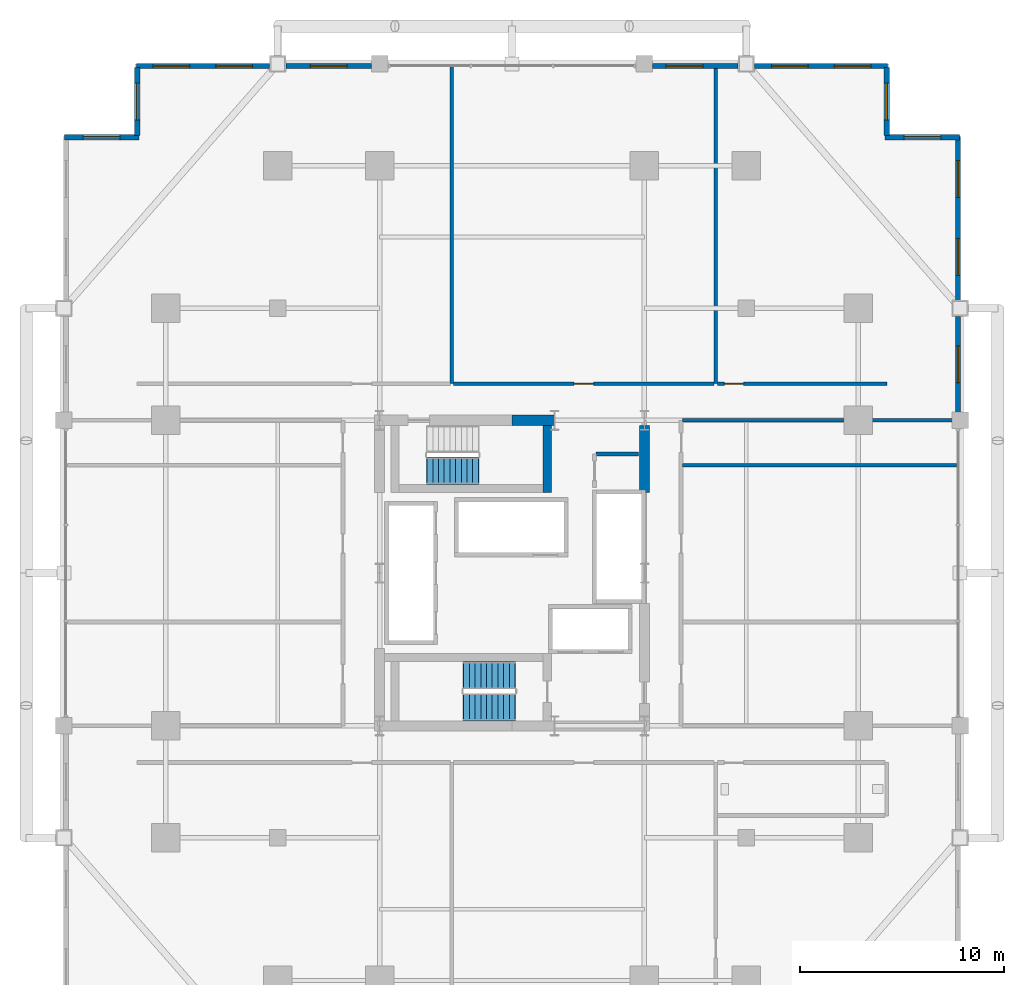
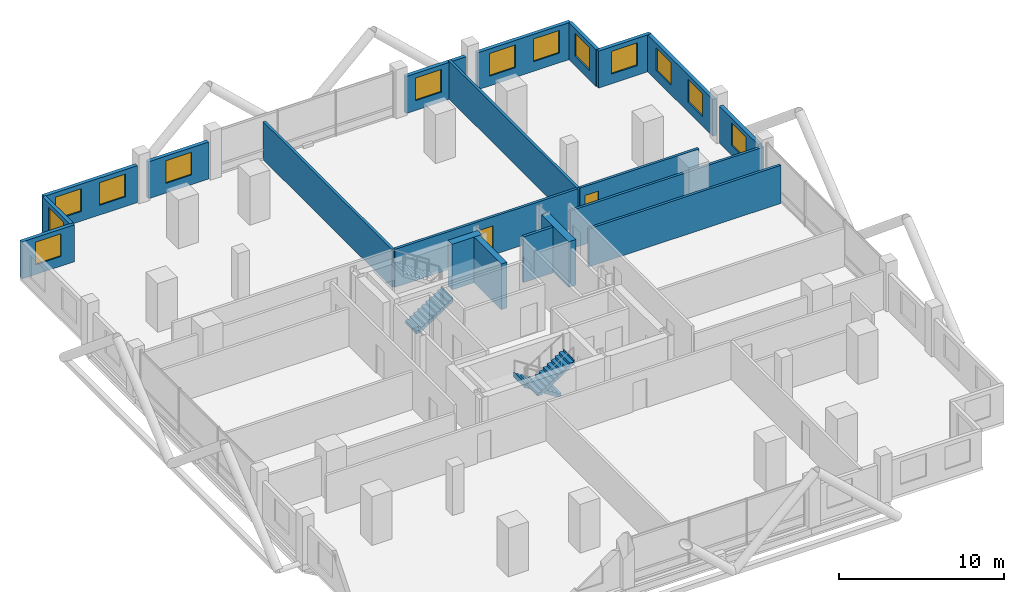
# One storey, part 23 of 26: 20 walls, 13 windows, 3 stair flights, 2 doors, 15 openings, 2 elements without a shape of their own.
"""IFC4 building model written with IfcOpenShell, lengths in metres."""

import ifcopenshell
import ifcopenshell.guid

model = None  # the IFC model being written
_history = None  # IfcOwnerHistory: only IFC2X3 demands one
_inside = {}  # id of a spatial element -> (the spatial element, [elements in it])
_under = {}  # id of a project, library or spatial element -> (it, [spatial elements below it])
_declared = {}  # id of a project -> (the project, [libraries it declares])
_typed = {}  # id of a type object -> (the type object, [elements of that type])
_made_of = {}  # id of a material, layer set ... -> (it, [elements and type objects made of it])


def new_model(schema):
    """Start an empty IFC model of exactly this schema.

    Asked for "IFC4X3", IfcOpenShell would pick the latest addendum, in which some entities
    have other attributes; the version numbers below select the first issue.
    IFC2X3 requires an IfcOwnerHistory on every rooted entity: one is made here for all.
    """
    global model, _history
    if schema == "IFC4X3":
        model = ifcopenshell.file(schema_version=(4, 3, 0, 0))
    else:
        model = ifcopenshell.file(schema=schema)
    _inside.clear()
    _under.clear()
    _declared.clear()
    _typed.clear()
    _made_of.clear()
    _history = None
    if model.schema == "IFC2X3":
        org = make("IfcOrganization", Name="unknown")
        user = make(
            "IfcPersonAndOrganization",
            ThePerson=make("IfcPerson", FamilyName="unknown"),
            TheOrganization=org,
        )
        app = make(
            "IfcApplication",
            ApplicationDeveloper=org,
            Version="unknown",
            ApplicationFullName="unknown",
            ApplicationIdentifier="unknown",
        )
        _history = make(
            "IfcOwnerHistory",
            OwningUser=user,
            OwningApplication=app,
            ChangeAction="ADDED",
            CreationDate=0,
        )
    return model


def make(cls, **values):
    """One entity of the class cls with the attributes given. An attribute that is None is left unset."""
    return model.create_entity(
        cls, **{name: value for name, value in values.items() if value is not None}
    )


def rooted(cls, **values):
    """An entity with a GlobalId (a new one), such as an element, a storey or a relation."""
    return make(cls, GlobalId=ifcopenshell.guid.new(), OwnerHistory=_history, **values)


def si_unit(unit_type, name, prefix=None):
    """IfcSIUnit, for example si_unit("LENGTHUNIT", "METRE", prefix="MILLI")."""
    return make("IfcSIUnit", UnitType=unit_type, Prefix=prefix, Name=name)


def assignment(units):
    """IfcUnitAssignment: the units of a project."""
    return None if units is None else make("IfcUnitAssignment", Units=units)


def point(xyz):
    """IfcCartesianPoint."""
    return None if xyz is None else make("IfcCartesianPoint", Coordinates=xyz)


def direction(xyz):
    """IfcDirection."""
    return None if xyz is None else make("IfcDirection", DirectionRatios=xyz)


def frame(location, z_axis=None, x_axis=None):
    """IfcAxis2Placement3D, a coordinate frame: its origin and axes. An axis left out is left unset."""
    return make(
        "IfcAxis2Placement3D",
        Location=point(location),
        Axis=direction(z_axis),
        RefDirection=direction(x_axis),
    )


def frame_2d(location, x_axis=None):
    """IfcAxis2Placement2D, a coordinate frame in the plane: its origin and x axis."""
    return make(
        "IfcAxis2Placement2D", Location=point(location), RefDirection=direction(x_axis)
    )


def origin():
    """The frame at (0, 0, 0) with its axes left unset."""
    return frame((0.0, 0.0, 0.0))


def place(relative_to, where):
    """IfcLocalPlacement: puts the frame where relative to a parent placement (None: the world)."""
    return make(
        "IfcLocalPlacement", PlacementRelTo=relative_to, RelativePlacement=where
    )


def context(
    kind, dimensions, precision=None, world=None, true_north=None, identifier=None
):
    """IfcGeometricRepresentationContext, for example the 3D "Model" context."""
    return make(
        "IfcGeometricRepresentationContext",
        ContextIdentifier=identifier,
        ContextType=kind,
        CoordinateSpaceDimension=dimensions,
        Precision=precision,
        WorldCoordinateSystem=world,
        TrueNorth=true_north,
    )


def subcontext(parent, identifier, kind, view, scale=None):
    """IfcGeometricRepresentationSubContext, for example "Body" below "Model"."""
    return make(
        "IfcGeometricRepresentationSubContext",
        ContextIdentifier=identifier,
        ContextType=kind,
        ParentContext=parent,
        TargetScale=scale,
        TargetView=view,
    )


def project(units=None, contexts=None):
    """IfcProject with its units and contexts."""
    return rooted(
        "IfcProject",
        Name="project",
        RepresentationContexts=contexts,
        UnitsInContext=assignment(units),
    )


def spatial(cls, under=None, at=None, **own):
    """A site, building, storey or space (cls), placed at a placement, below another one or the project."""
    s = rooted(cls, ObjectPlacement=at, **own)
    if under is not None:
        _under.setdefault(under.id(), (under, []))[1].append(s)
    return s


def polyline(points):
    """IfcPolyline through the points."""
    return make("IfcPolyline", Points=[point(p) for p in points])


def profile(cls, at=None, kind="AREA", **sizes):
    """A parametric profile (cls). Its sizes go by their IFC names, for example OverallWidth=200.0."""
    return make(cls, ProfileType=kind, Position=at, **sizes)


def rectangle(**sizes):
    """IfcRectangleProfileDef."""
    return profile("IfcRectangleProfileDef", **sizes)


def outline(outer, holes=None, kind="AREA"):
    """IfcArbitraryClosedProfileDef: a profile drawn as a closed curve; with holes, ...WithVoids."""
    if holes is None:
        return make("IfcArbitraryClosedProfileDef", ProfileType=kind, OuterCurve=outer)
    return make(
        "IfcArbitraryProfileDefWithVoids",
        ProfileType=kind,
        OuterCurve=outer,
        InnerCurves=holes,
    )


def extrude(swept, where, along, depth):
    """IfcExtrudedAreaSolid: the profile swept, set in the frame where, extruded along a direction by depth."""
    return make(
        "IfcExtrudedAreaSolid",
        SweptArea=swept,
        Position=where,
        ExtrudedDirection=direction(along),
        Depth=depth,
    )


def shape(context_of_items, identifier, shape_type, items):
    """IfcShapeRepresentation: the items that make up one representation, for example the "Body"."""
    return make(
        "IfcShapeRepresentation",
        ContextOfItems=context_of_items,
        RepresentationIdentifier=identifier,
        RepresentationType=shape_type,
        Items=items,
    )


def material(Name=None, Category=None):
    """IfcMaterial."""
    return make("IfcMaterial", Name=Name, Category=Category)


def layer(
    of_material, thickness, ventilated=None, Name=None, Category=None, Priority=None
):
    """IfcMaterialLayer: one layer of a wall or slab, of a material (None: an air gap)."""
    return make(
        "IfcMaterialLayer",
        Material=of_material,
        LayerThickness=thickness,
        IsVentilated=ventilated,
        Name=Name,
        Category=Category,
        Priority=Priority,
    )


def layer_set(layers, Name=None):
    """IfcMaterialLayerSet."""
    return make("IfcMaterialLayerSet", MaterialLayers=layers, LayerSetName=Name)


def made_of(thing, what):
    """Note that an element or type object is made of a material, layer set ...; save() writes the relation."""
    if what is not None:
        _made_of.setdefault(what.id(), (what, []))[1].append(thing)
    return thing


def type_object(cls, material=None, **own):
    """A type object (cls), such as IfcWallType, which elements share."""
    return made_of(rooted(cls, **own), material)


def element(
    cls,
    number,
    at=None,
    inside=None,
    cuts=None,
    type_object=None,
    material=None,
    context=None,
    identifier="Body",
    shape_type=None,
    held_by="IfcProductDefinitionShape",
    body=None,
    shapes=None,
    **own,
):
    """One element of the class cls, such as IfcWall. Its Tag is "e" and its number.

    at: its placement. inside: the storey or other place that contains it. cuts: it is an
    opening in that element (IfcRelVoidsElement). A single representation is given by context,
    identifier, shape_type and body (its items); several are given by shapes. held_by: the class
    of the entity that holds the representations. save() writes the other relations.
    """
    e = rooted(cls, Tag="e%d" % number, ObjectPlacement=at, **own)
    if body is not None:
        shapes = [shape(context, identifier, shape_type, body)]
    if shapes is not None:
        e.Representation = make(held_by, Representations=shapes)
    if inside is not None:
        _inside.setdefault(inside.id(), (inside, []))[1].append(e)
    if cuts is not None:
        rooted(
            "IfcRelVoidsElement", RelatingBuildingElement=cuts, RelatedOpeningElement=e
        )
    if type_object is not None:
        _typed.setdefault(type_object.id(), (type_object, []))[1].append(e)
    return made_of(e, material)


def fill(opening, filler):
    """IfcRelFillsElement: the door or window that sits in an opening."""
    return rooted(
        "IfcRelFillsElement",
        RelatingOpeningElement=opening,
        RelatedBuildingElement=filler,
    )


def aggregate(whole, parts):
    """IfcRelAggregates: a whole, such as a stair, and the parts it consists of."""
    return rooted("IfcRelAggregates", RelatingObject=whole, RelatedObjects=parts)


def save(model, path):
    """Write the relations noted so far, then the file.

    IfcRelAggregates (storeys below a building ...), IfcRelContainedInSpatialStructure (elements
    in a storey), IfcRelDefinesByType, IfcRelAssociatesMaterial and IfcRelDeclares: one each for
    every whole, place, type object, material and project.
    """
    for whole, parts in _under.values():
        aggregate(whole, parts)
    for where, things in _inside.values():
        rooted(
            "IfcRelContainedInSpatialStructure",
            RelatedElements=things,
            RelatingStructure=where,
        )
    for kind, things in _typed.values():
        rooted("IfcRelDefinesByType", RelatedObjects=things, RelatingType=kind)
    for what, things in _made_of.values():
        rooted("IfcRelAssociatesMaterial", RelatedObjects=things, RelatingMaterial=what)
    for by, libraries in _declared.values():
        rooted("IfcRelDeclares", RelatingContext=by, RelatedDefinitions=libraries)
    model.write(path)


model = new_model("IFC4")

# Units and contexts
model_context = context("Model", 3, precision=1e-05, world=origin(), true_north=direction((0.0, 1.0)))
body_context = subcontext(model_context, "Body", "Model", "MODEL_VIEW")
ifc_project = project(units=[si_unit("LENGTHUNIT", "METRE"), si_unit("AREAUNIT", "SQUARE_METRE"), si_unit("VOLUMEUNIT", "CUBIC_METRE"), si_unit("PLANEANGLEUNIT", "RADIAN"), si_unit("MASSUNIT", "GRAM", prefix="KILO")], contexts=[model_context])

# Site, building, storey
site_placement = place(None, origin())
site = spatial("IfcSite", under=ifc_project, at=site_placement, CompositionType="ELEMENT")
building_placement = place(site_placement, origin())
building = spatial("IfcBuilding", under=site, at=building_placement, Name="Barlavira Tower and Art Museum", CompositionType="ELEMENT")
storey_placement = place(building_placement, frame((0.0, 0.0, 82.800048828125)))
storey = spatial("IfcBuildingStorey", under=building, at=storey_placement, Name="L20", CompositionType="ELEMENT", Elevation=82.800048828125)

# Walls
ifc_material_1 = material(Name="Concrete C60", Category="concrete")
ifc_layer_1 = layer(ifc_material_1, 0.5, Name="Concrete C60")
ifc_layer_set_1 = layer_set([ifc_layer_1], Name="Concrete C60")
wall_type_1 = type_object("IfcWallType", Name="Core Structural Shear Wall 500 Concrete C60", PredefinedType="SHEAR", material=ifc_layer_set_1)
wall_1_placement = place(storey_placement, frame((0.0, 7.5, 0.0), z_axis=(0.0, 0.0, 1.0), x_axis=(1.0, 0.0, 0.0)))
element("IfcWall", 1, at=wall_1_placement, inside=storey, type_object=wall_type_1, Name="L20 Core Shear Wall CS-EN", PredefinedType="SHEAR", context=body_context, shape_type="SweptSolid", body=[
    extrude(rectangle(XDim=2.080078125, YDim=0.5, at=frame_2d((1.0400390625, 0.0))), origin(), (0.0, 0.0, 1.0), 3.3798828125),
])
wall_2_placement = place(storey_placement, frame((6.5, 3.949951171875, 0.0), z_axis=(0.0, 0.0, 1.0), x_axis=(0.0, 1.0, 0.0)))
element("IfcWall", 2, at=wall_2_placement, inside=storey, type_object=wall_type_1, Name="L20 Core Shear Wall CS-E2", PredefinedType="SHEAR", context=body_context, shape_type="SweptSolid", body=[
    extrude(rectangle(XDim=3.300048828125, YDim=0.5, at=frame_2d((1.64990234375, 0.0))), origin(), (0.0, 0.0, 1.0), 3.3798828125),
])
ifc_material_2 = material(Name="Autoclaved aerated concrete masonry", Category="masonry")
ifc_layer_2 = layer(ifc_material_2, 0.199951171875, Name="Autoclaved aerated concrete masonry")
ifc_layer_set_2 = layer_set([ifc_layer_2], Name="Autoclaved aerated concrete masonry")
wall_type_2 = type_object("IfcWallType", Name="Fire Compartment and Shaft Wall 200", PredefinedType="SOLIDWALL", material=ifc_layer_set_2)
wall_3_placement = place(storey_placement, frame((4.1298828125, 5.85009765625, 0.0), z_axis=(0.0, 0.0, 1.0), x_axis=(1.0, 0.0, 0.0)))
element("IfcWall", 3, at=wall_3_placement, inside=storey, type_object=wall_type_2, Name="L20 Partition Wall 19", PredefinedType="SOLIDWALL", context=body_context, shape_type="SweptSolid", body=[
    extrude(rectangle(XDim=2.070068359375, YDim=0.199951171875, at=frame_2d((1.03515625, 0.0))), origin(), (0.0, 0.0, 1.0), 3.3798828125),
])
ifc_material_3 = material(Name="Gypsum acoustic stud partition", Category="gypsum")
ifc_layer_3 = layer(ifc_material_3, 0.179931640625, Name="Gypsum acoustic stud partition")
ifc_layer_set_3 = layer_set([ifc_layer_3], Name="Gypsum acoustic stud partition")
wall_type_3 = type_object("IfcWallType", Name="Inter-Tenancy Party Partition Wall 180", PredefinedType="PARTITIONING", material=ifc_layer_set_3)
for number, where, z_axis, x_axis, name in (
    (4, (-2.949951171875, 9.300048828125, 0.0), (0.0, 0.0, 1.0), (0.0, 1.0, 0.0), "L20 Partition Wall 3"),
    (5, (10.0, 9.300048828125, 0.0), (0.0, 0.0, 1.0), (0.0, 1.0, 0.0), "L20 Partition Wall 7"),
):
    element("IfcWall", number, at=place(storey_placement, frame(where, z_axis=z_axis, x_axis=x_axis)), inside=storey, type_object=wall_type_3, Name=name, PredefinedType="PARTITIONING", context=body_context, shape_type="SweptSolid", body=[
        extrude(rectangle(XDim=15.599853515625, YDim=0.179931640625, at=frame_2d((7.7998046875, 0.0))), origin(), (0.0, 0.0, 1.0), 2.81591796875),
    ])
wall_4_placement = place(storey_placement, frame((8.3798828125, 5.300048828125, 0.0), z_axis=(0.0, 0.0, 1.0), x_axis=(1.0, 0.0, 0.0)))
element("IfcWall", 6, at=wall_4_placement, inside=storey, type_object=wall_type_3, Name="L20 Partition Wall 18", PredefinedType="PARTITIONING", context=body_context, shape_type="SweptSolid", body=[
    extrude(rectangle(XDim=13.440185546875, YDim=0.179931640625, at=frame_2d((6.72021484375, 0.0))), origin(), (0.0, 0.0, 1.0), 2.81591796875),
])
wall_5_placement = place(storey_placement, frame((8.3798828125, 7.5, 0.0), z_axis=(0.0, 0.0, 1.0), x_axis=(1.0, 0.0, 0.0)))
element("IfcWall", 7, at=wall_5_placement, inside=storey, type_object=wall_type_3, Name="L20 Partition Wall 21", PredefinedType="PARTITIONING", context=body_context, shape_type="SweptSolid", body=[
    extrude(rectangle(XDim=13.52001953125, YDim=0.179931640625, at=frame_2d((6.760009765625, 0.0))), origin(), (0.0, 0.0, 1.0), 2.81591796875),
])

# Wall, opening, door
wall_6_placement = place(storey_placement, frame((-2.8701171875, 9.300048828125, 0.0), z_axis=(0.0, 0.0, 1.0), x_axis=(1.0, 0.0, 0.0)))
wall_6 = element("IfcWall", 8, at=wall_6_placement, inside=storey, type_object=wall_type_3, Name="L20 Partition Wall 23", PredefinedType="PARTITIONING", context=body_context, shape_type="SweptSolid", body=[
    extrude(rectangle(XDim=12.7900390625, YDim=0.179931640625, at=frame_2d((6.39501953125, 0.0))), origin(), (0.0, 0.0, 1.0), 2.81591796875),
])
opening_1_placement = place(wall_6_placement, frame((5.925048828125, 0.0, 0.0)))
opening_1 = element("IfcOpeningElement", 9, at=opening_1_placement, cuts=wall_6, Name="Opening FD-60", PredefinedType="OPENING", context=body_context, shape_type="SweptSolid", body=[
    extrude(rectangle(XDim=0.949951171875, YDim=2.14990234375, at=frame_2d((0.47509765625, 1.074951171875))), frame((0.0, 0.10009765625, 0.0), z_axis=(0.0, -1.0, 0.0), x_axis=(1.0, 0.0, 0.0)), (0.0, 0.0, 1.0), 0.199951171875),
])
ifc_material_4 = material(Name="Brushed stainless steel", Category="steel")
door_type = type_object("IfcDoorType", Name="Apartment Entrance and Riser Fire Door 950x2150 FD60S", OperationType="NOTDEFINED", PredefinedType="DOOR", material=ifc_material_4)
door_1_placement = place(opening_1_placement, origin())
door_1 = element("IfcDoor", 10, at=door_1_placement, inside=storey, type_object=door_type, Name="Private Coastal Dining Salon Door", OperationType="SINGLE_SWING_RIGHT", OverallHeight=2.14990234375, OverallWidth=0.949951171875, PredefinedType="DOOR", context=body_context, shape_type="SweptSolid", body=[
    extrude(rectangle(XDim=0.949951171875, YDim=2.14990234375, at=frame_2d((0.47509765625, 1.074951171875))), frame((0.0, 0.02490234375, 0.0), z_axis=(0.0, -1.0, 0.0), x_axis=(1.0, 0.0, 0.0)), (0.0, 0.0, 1.0), 0.050048828125),
])
fill(opening_1, door_1)

wall_7_placement = place(storey_placement, frame((10.080078125, 9.300048828125, 0.0), z_axis=(0.0, 0.0, 1.0), x_axis=(1.0, 0.0, 0.0)))
wall_7 = element("IfcWall", 11, at=wall_7_placement, inside=storey, type_object=wall_type_3, Name="L20 Partition Wall 24", PredefinedType="PARTITIONING", context=body_context, shape_type="SweptSolid", body=[
    extrude(rectangle(XDim=8.31982421875, YDim=0.179931640625, at=frame_2d((4.159912109375, 0.0))), origin(), (0.0, 0.0, 1.0), 2.81591796875),
])
opening_2_placement = place(wall_7_placement, frame((0.344970703125, 0.0, 0.0)))
opening_2 = element("IfcOpeningElement", 12, at=opening_2_placement, cuts=wall_7, Name="Opening FD-60", PredefinedType="OPENING", context=body_context, shape_type="SweptSolid", body=[
    extrude(rectangle(XDim=0.949951171875, YDim=2.14990234375, at=frame_2d((0.47509765625, 1.074951171875))), frame((0.0, 0.10009765625, 0.0), z_axis=(0.0, -1.0, 0.0), x_axis=(1.0, 0.0, 0.0)), (0.0, 0.0, 1.0), 0.199951171875),
])
door_2_placement = place(opening_2_placement, origin())
door_2 = element("IfcDoor", 13, at=door_2_placement, inside=storey, type_object=door_type, Name="Shared Catering Kitchen Door", OperationType="SINGLE_SWING_LEFT", OverallHeight=2.14990234375, OverallWidth=0.949951171875, PredefinedType="DOOR", context=body_context, shape_type="SweptSolid", body=[
    extrude(rectangle(XDim=0.949951171875, YDim=2.14990234375, at=frame_2d((0.47509765625, 1.074951171875))), frame((0.0, 0.02490234375, 0.0), z_axis=(0.0, -1.0, 0.0), x_axis=(1.0, 0.0, 0.0)), (0.0, 0.0, 1.0), 0.050048828125),
])
fill(opening_2, door_2)

# Wall, openings, windows
ifc_material_5 = material(Name="Precast concrete C40", Category="concrete")
ifc_layer_4 = layer(ifc_material_5, 0.25, Name="Precast concrete C40")
ifc_layer_set_4 = layer_set([ifc_layer_4], Name="Precast concrete C40")
wall_type_4 = type_object("IfcWallType", Name="Notched Corner Spandrel Wall 250 Precast Concrete C40", PredefinedType="SOLIDWALL", material=ifc_layer_set_4)
wall_8_placement = place(storey_placement, frame((18.425048828125, 24.89990234375, 0.0), z_axis=(0.0, 0.0, 1.0), x_axis=(-1.0, 0.0, 0.0)))
wall_8 = element("IfcWall", 14, at=wall_8_placement, inside=storey, type_object=wall_type_4, Name="L20 Coastal Facade Pier Wall CW1-L20-N-1", PredefinedType="SOLIDWALL", context=body_context, shape_type="SweptSolid", body=[
    extrude(rectangle(XDim=6.530029296875, YDim=0.25, at=frame_2d((3.26513671875, 0.0))), origin(), (0.0, 0.0, 1.0), 2.73583984375),
])
opening_3_placement = place(wall_8_placement, frame((0.801025390625, 0.0, 0.719970703125)))
opening_3 = element("IfcOpeningElement", 15, at=opening_3_placement, cuts=wall_8, Name="Opening WN-01", PredefinedType="OPENING", context=body_context, shape_type="SweptSolid", body=[
    extrude(rectangle(XDim=1.800048828125, YDim=1.679931640625, at=frame_2d((0.89990234375, 0.83984375))), frame((0.0, 0.135009765625, 0.0), z_axis=(0.0, -1.0, 0.0), x_axis=(1.0, 0.0, 0.0)), (0.0, 0.0, 1.0), 0.27001953125),
])
opening_4_placement = place(wall_8_placement, frame((3.884033203125, 0.0, 0.719970703125)))
opening_4 = element("IfcOpeningElement", 16, at=opening_4_placement, cuts=wall_8, Name="Opening WN-01", PredefinedType="OPENING", context=body_context, shape_type="SweptSolid", body=[
    extrude(rectangle(XDim=1.800048828125, YDim=1.679931640625, at=frame_2d((0.89990234375, 0.83984375))), frame((0.0, 0.135009765625, 0.0), z_axis=(0.0, -1.0, 0.0), x_axis=(1.0, 0.0, 0.0)), (0.0, 0.0, 1.0), 0.27001953125),
])
ifc_material_6 = material(Name="Low-iron coastal laminated glass", Category="glass")
window_type = type_object("IfcWindowType", Name="Recessed Notch Corner Punch Window 1800x1680", PartitioningType="SINGLE_PANEL", PredefinedType="WINDOW", material=ifc_material_6)
window_1_placement = place(opening_3_placement, origin())
window_1 = element("IfcWindow", 17, at=window_1_placement, inside=storey, type_object=window_type, Name="L20 Punched Facade Window EWP-CW1-L20-N-1-1", OverallHeight=1.679931640625, OverallWidth=1.800048828125, PartitioningType="SINGLE_PANEL", PredefinedType="WINDOW", context=body_context, shape_type="SweptSolid", body=[
    extrude(rectangle(XDim=1.800048828125, YDim=1.679931640625, at=frame_2d((0.89990234375, 0.83984375))), frame((0.0, 0.030029296875, 0.0), z_axis=(0.0, -1.0, 0.0), x_axis=(1.0, 0.0, 0.0)), (0.0, 0.0, 1.0), 0.06005859375),
])
fill(opening_3, window_1)
window_2_placement = place(opening_4_placement, origin())
window_2 = element("IfcWindow", 18, at=window_2_placement, inside=storey, type_object=window_type, Name="L20 Punched Facade Window EWP-CW1-L20-N-1-2", OverallHeight=1.679931640625, OverallWidth=1.800048828125, PartitioningType="SINGLE_PANEL", PredefinedType="WINDOW", context=body_context, shape_type="SweptSolid", body=[
    extrude(rectangle(XDim=1.800048828125, YDim=1.679931640625, at=frame_2d((0.89990234375, 0.83984375))), frame((0.0, 0.030029296875, 0.0), z_axis=(0.0, -1.0, 0.0), x_axis=(1.0, 0.0, 0.0)), (0.0, 0.0, 1.0), 0.06005859375),
])
fill(opening_4, window_2)

# Wall, opening, window
wall_9_placement = place(storey_placement, frame((11.10498046875, 24.89990234375, 0.0), z_axis=(0.0, 0.0, 1.0), x_axis=(-1.0, 0.0, 0.0)))
wall_9 = element("IfcWall", 19, at=wall_9_placement, inside=storey, type_object=wall_type_4, Name="L20 Coastal Facade Pier Wall CW1-L20-N-2", PredefinedType="SOLIDWALL", context=body_context, shape_type="SweptSolid", body=[
    extrude(rectangle(XDim=4.2099609375, YDim=0.25, at=frame_2d((2.10498046875, 0.0))), origin(), (0.0, 0.0, 1.0), 2.73583984375),
])
opening_5_placement = place(wall_9_placement, frame((1.735107421875, 0.0, 0.719970703125)))
opening_5 = element("IfcOpeningElement", 20, at=opening_5_placement, cuts=wall_9, Name="Opening WN-01", PredefinedType="OPENING", context=body_context, shape_type="SweptSolid", body=[
    extrude(rectangle(XDim=1.800048828125, YDim=1.679931640625, at=frame_2d((0.89990234375, 0.83984375))), frame((0.0, 0.135009765625, 0.0), z_axis=(0.0, -1.0, 0.0), x_axis=(1.0, 0.0, 0.0)), (0.0, 0.0, 1.0), 0.27001953125),
])
window_3_placement = place(opening_5_placement, origin())
window_3 = element("IfcWindow", 21, at=window_3_placement, inside=storey, type_object=window_type, Name="L20 Punched Facade Window EWP-CW1-L20-N-2-1", OverallHeight=1.679931640625, OverallWidth=1.800048828125, PartitioningType="SINGLE_PANEL", PredefinedType="WINDOW", context=body_context, shape_type="SweptSolid", body=[
    extrude(rectangle(XDim=1.800048828125, YDim=1.679931640625, at=frame_2d((0.89990234375, 0.83984375))), frame((0.0, 0.030029296875, 0.0), z_axis=(0.0, -1.0, 0.0), x_axis=(1.0, 0.0, 0.0)), (0.0, 0.0, 1.0), 0.06005859375),
])
fill(opening_5, window_3)

wall_10_placement = place(storey_placement, frame((-6.89501953125, 24.89990234375, 0.0), z_axis=(0.0, 0.0, 1.0), x_axis=(-1.0, 0.0, 0.0)))
wall_10 = element("IfcWall", 22, at=wall_10_placement, inside=storey, type_object=wall_type_4, Name="L20 Coastal Facade Pier Wall CW1-L20-N-4", PredefinedType="SOLIDWALL", context=body_context, shape_type="SweptSolid", body=[
    extrude(rectangle(XDim=4.2099609375, YDim=0.25, at=frame_2d((2.10498046875, 0.0))), origin(), (0.0, 0.0, 1.0), 2.73583984375),
])
opening_6_placement = place(wall_10_placement, frame((1.205078125, 0.0, 0.719970703125)))
opening_6 = element("IfcOpeningElement", 23, at=opening_6_placement, cuts=wall_10, Name="Opening WN-01", PredefinedType="OPENING", context=body_context, shape_type="SweptSolid", body=[
    extrude(rectangle(XDim=1.800048828125, YDim=1.679931640625, at=frame_2d((0.89990234375, 0.83984375))), frame((0.0, 0.135009765625, 0.0), z_axis=(0.0, -1.0, 0.0), x_axis=(1.0, 0.0, 0.0)), (0.0, 0.0, 1.0), 0.27001953125),
])
window_4_placement = place(opening_6_placement, origin())
window_4 = element("IfcWindow", 24, at=window_4_placement, inside=storey, type_object=window_type, Name="L20 Punched Facade Window EWP-CW1-L20-N-4-1", OverallHeight=1.679931640625, OverallWidth=1.800048828125, PartitioningType="SINGLE_PANEL", PredefinedType="WINDOW", context=body_context, shape_type="SweptSolid", body=[
    extrude(rectangle(XDim=1.800048828125, YDim=1.679931640625, at=frame_2d((0.89990234375, 0.83984375))), frame((0.0, 0.030029296875, 0.0), z_axis=(0.0, -1.0, 0.0), x_axis=(1.0, 0.0, 0.0)), (0.0, 0.0, 1.0), 0.06005859375),
])
fill(opening_6, window_4)

# Wall, openings, windows
wall_11_placement = place(storey_placement, frame((-11.89501953125, 24.89990234375, 0.0), z_axis=(0.0, 0.0, 1.0), x_axis=(-1.0, 0.0, 0.0)))
wall_11 = element("IfcWall", 25, at=wall_11_placement, inside=storey, type_object=wall_type_4, Name="L20 Coastal Facade Pier Wall CW1-L20-N-5", PredefinedType="SOLIDWALL", context=body_context, shape_type="SweptSolid", body=[
    extrude(rectangle(XDim=6.530029296875, YDim=0.25, at=frame_2d((3.26513671875, 0.0))), origin(), (0.0, 0.0, 1.0), 2.73583984375),
])
opening_7_placement = place(wall_11_placement, frame((0.845947265625, 0.0, 0.719970703125)))
opening_7 = element("IfcOpeningElement", 26, at=opening_7_placement, cuts=wall_11, Name="Opening WN-01", PredefinedType="OPENING", context=body_context, shape_type="SweptSolid", body=[
    extrude(rectangle(XDim=1.800048828125, YDim=1.679931640625, at=frame_2d((0.89990234375, 0.83984375))), frame((0.0, 0.135009765625, 0.0), z_axis=(0.0, -1.0, 0.0), x_axis=(1.0, 0.0, 0.0)), (0.0, 0.0, 1.0), 0.27001953125),
])
opening_8_placement = place(wall_11_placement, frame((3.928955078125, 0.0, 0.719970703125)))
opening_8 = element("IfcOpeningElement", 27, at=opening_8_placement, cuts=wall_11, Name="Opening WN-01", PredefinedType="OPENING", context=body_context, shape_type="SweptSolid", body=[
    extrude(rectangle(XDim=1.800048828125, YDim=1.679931640625, at=frame_2d((0.89990234375, 0.83984375))), frame((0.0, 0.135009765625, 0.0), z_axis=(0.0, -1.0, 0.0), x_axis=(1.0, 0.0, 0.0)), (0.0, 0.0, 1.0), 0.27001953125),
])
window_5_placement = place(opening_7_placement, origin())
window_5 = element("IfcWindow", 28, at=window_5_placement, inside=storey, type_object=window_type, Name="L20 Punched Facade Window EWP-CW1-L20-N-5-1", OverallHeight=1.679931640625, OverallWidth=1.800048828125, PartitioningType="SINGLE_PANEL", PredefinedType="WINDOW", context=body_context, shape_type="SweptSolid", body=[
    extrude(rectangle(XDim=1.800048828125, YDim=1.679931640625, at=frame_2d((0.89990234375, 0.83984375))), frame((0.0, 0.030029296875, 0.0), z_axis=(0.0, -1.0, 0.0), x_axis=(1.0, 0.0, 0.0)), (0.0, 0.0, 1.0), 0.06005859375),
])
fill(opening_7, window_5)
window_6_placement = place(opening_8_placement, origin())
window_6 = element("IfcWindow", 29, at=window_6_placement, inside=storey, type_object=window_type, Name="L20 Punched Facade Window EWP-CW1-L20-N-5-2", OverallHeight=1.679931640625, OverallWidth=1.800048828125, PartitioningType="SINGLE_PANEL", PredefinedType="WINDOW", context=body_context, shape_type="SweptSolid", body=[
    extrude(rectangle(XDim=1.800048828125, YDim=1.679931640625, at=frame_2d((0.89990234375, 0.83984375))), frame((0.0, 0.030029296875, 0.0), z_axis=(0.0, -1.0, 0.0), x_axis=(1.0, 0.0, 0.0)), (0.0, 0.0, 1.0), 0.06005859375),
])
fill(opening_8, window_6)

# Wall, opening, window
wall_12_placement = place(storey_placement, frame((21.89990234375, 7.89501953125, 0.0), z_axis=(0.0, 0.0, 1.0), x_axis=(0.0, 1.0, 0.0)))
wall_12 = element("IfcWall", 30, at=wall_12_placement, inside=storey, type_object=wall_type_4, Name="L20 Coastal Facade Pier Wall CW1-L20-E-4", PredefinedType="SOLIDWALL", context=body_context, shape_type="SweptSolid", body=[
    extrude(rectangle(XDim=4.7099609375, YDim=0.25, at=frame_2d((2.35498046875, 0.0))), origin(), (0.0, 0.0, 1.0), 2.73583984375),
])
opening_9_placement = place(wall_12_placement, frame((1.455078125, 0.0, 0.719970703125)))
opening_9 = element("IfcOpeningElement", 31, at=opening_9_placement, cuts=wall_12, Name="Opening WN-01", PredefinedType="OPENING", context=body_context, shape_type="SweptSolid", body=[
    extrude(rectangle(XDim=1.800048828125, YDim=1.679931640625, at=frame_2d((0.89990234375, 0.83984375))), frame((0.0, 0.135009765625, 0.0), z_axis=(0.0, -1.0, 0.0), x_axis=(1.0, 0.0, 0.0)), (0.0, 0.0, 1.0), 0.27001953125),
])
window_7_placement = place(opening_9_placement, origin())
window_7 = element("IfcWindow", 32, at=window_7_placement, inside=storey, type_object=window_type, Name="L20 Punched Facade Window EWP-CW1-L20-E-4-1", OverallHeight=1.679931640625, OverallWidth=1.800048828125, PartitioningType="SINGLE_PANEL", PredefinedType="WINDOW", context=body_context, shape_type="SweptSolid", body=[
    extrude(rectangle(XDim=1.800048828125, YDim=1.679931640625, at=frame_2d((0.89990234375, 0.83984375))), frame((0.0, 0.030029296875, 0.0), z_axis=(0.0, -1.0, 0.0), x_axis=(1.0, 0.0, 0.0)), (0.0, 0.0, 1.0), 0.06005859375),
])
fill(opening_9, window_7)

# Wall, openings, windows
wall_13_placement = place(storey_placement, frame((21.89990234375, 13.39501953125, 0.0), z_axis=(0.0, 0.0, 1.0), x_axis=(0.0, 1.0, 0.0)))
wall_13 = element("IfcWall", 33, at=wall_13_placement, inside=storey, type_object=wall_type_4, Name="L20 Coastal Facade Pier Wall CW1-L20-E-5", PredefinedType="SOLIDWALL", context=body_context, shape_type="SweptSolid", body=[
    extrude(rectangle(XDim=8.030029296875, YDim=0.25, at=frame_2d((4.01513671875, 0.0))), origin(), (0.0, 0.0, 1.0), 2.73583984375),
])
opening_10_placement = place(wall_13_placement, frame((1.220947265625, 0.0, 0.719970703125)))
opening_10 = element("IfcOpeningElement", 34, at=opening_10_placement, cuts=wall_13, Name="Opening WN-01", PredefinedType="OPENING", context=body_context, shape_type="SweptSolid", body=[
    extrude(rectangle(XDim=1.800048828125, YDim=1.679931640625, at=frame_2d((0.89990234375, 0.83984375))), frame((0.0, 0.135009765625, 0.0), z_axis=(0.0, -1.0, 0.0), x_axis=(1.0, 0.0, 0.0)), (0.0, 0.0, 1.0), 0.27001953125),
])
opening_11_placement = place(wall_13_placement, frame((5.053955078125, 0.0, 0.719970703125)))
opening_11 = element("IfcOpeningElement", 35, at=opening_11_placement, cuts=wall_13, Name="Opening WN-01", PredefinedType="OPENING", context=body_context, shape_type="SweptSolid", body=[
    extrude(rectangle(XDim=1.800048828125, YDim=1.679931640625, at=frame_2d((0.89990234375, 0.83984375))), frame((0.0, 0.135009765625, 0.0), z_axis=(0.0, -1.0, 0.0), x_axis=(1.0, 0.0, 0.0)), (0.0, 0.0, 1.0), 0.27001953125),
])
window_8_placement = place(opening_10_placement, origin())
window_8 = element("IfcWindow", 36, at=window_8_placement, inside=storey, type_object=window_type, Name="L20 Punched Facade Window EWP-CW1-L20-E-5-1", OverallHeight=1.679931640625, OverallWidth=1.800048828125, PartitioningType="SINGLE_PANEL", PredefinedType="WINDOW", context=body_context, shape_type="SweptSolid", body=[
    extrude(rectangle(XDim=1.800048828125, YDim=1.679931640625, at=frame_2d((0.89990234375, 0.83984375))), frame((0.0, 0.030029296875, 0.0), z_axis=(0.0, -1.0, 0.0), x_axis=(1.0, 0.0, 0.0)), (0.0, 0.0, 1.0), 0.06005859375),
])
fill(opening_10, window_8)
window_9_placement = place(opening_11_placement, origin())
window_9 = element("IfcWindow", 37, at=window_9_placement, inside=storey, type_object=window_type, Name="L20 Punched Facade Window EWP-CW1-L20-E-5-2", OverallHeight=1.679931640625, OverallWidth=1.800048828125, PartitioningType="SINGLE_PANEL", PredefinedType="WINDOW", context=body_context, shape_type="SweptSolid", body=[
    extrude(rectangle(XDim=1.800048828125, YDim=1.679931640625, at=frame_2d((0.89990234375, 0.83984375))), frame((0.0, 0.030029296875, 0.0), z_axis=(0.0, -1.0, 0.0), x_axis=(1.0, 0.0, 0.0)), (0.0, 0.0, 1.0), 0.06005859375),
])
fill(opening_11, window_9)

# Wall, opening, window
wall_14_placement = place(storey_placement, frame((21.97998046875, 21.39990234375, 0.0), z_axis=(0.0, 0.0, 1.0), x_axis=(-1.0, 0.0, 0.0)))
wall_14 = element("IfcWall", 38, at=wall_14_placement, inside=storey, type_object=wall_type_4, Name="L20 Notch Corner Wall NE1", PredefinedType="SOLIDWALL", context=body_context, shape_type="SweptSolid", body=[
    extrude(rectangle(XDim=3.659912109375, YDim=0.25, at=frame_2d((1.830078125, 0.0))), origin(), (0.0, 0.0, 1.0), 2.73583984375),
])
opening_12_placement = place(wall_14_placement, frame((0.929931640625, 0.0, 0.719970703125)))
opening_12 = element("IfcOpeningElement", 39, at=opening_12_placement, cuts=wall_14, Name="Opening WN-01", PredefinedType="OPENING", context=body_context, shape_type="SweptSolid", body=[
    extrude(rectangle(XDim=1.800048828125, YDim=1.679931640625, at=frame_2d((0.89990234375, 0.83984375))), frame((0.0, 0.135009765625, 0.0), z_axis=(0.0, -1.0, 0.0), x_axis=(1.0, 0.0, 0.0)), (0.0, 0.0, 1.0), 0.27001953125),
])
window_10_placement = place(opening_12_placement, origin())
window_10 = element("IfcWindow", 40, at=window_10_placement, inside=storey, type_object=window_type, Name="L20 Punched Facade Window EW-NTC-L20-NE1-1", OverallHeight=1.679931640625, OverallWidth=1.800048828125, PartitioningType="SINGLE_PANEL", PredefinedType="WINDOW", context=body_context, shape_type="SweptSolid", body=[
    extrude(rectangle(XDim=1.800048828125, YDim=1.679931640625, at=frame_2d((0.89990234375, 0.83984375))), frame((0.0, 0.030029296875, 0.0), z_axis=(0.0, -1.0, 0.0), x_axis=(1.0, 0.0, 0.0)), (0.0, 0.0, 1.0), 0.06005859375),
])
fill(opening_12, window_10)

wall_15_placement = place(storey_placement, frame((18.39990234375, 21.47998046875, 0.0), z_axis=(0.0, 0.0, 1.0), x_axis=(0.0, 1.0, 0.0)))
wall_15 = element("IfcWall", 41, at=wall_15_placement, inside=storey, type_object=wall_type_4, Name="L20 Notch Corner Wall NE2", PredefinedType="SOLIDWALL", context=body_context, shape_type="SweptSolid", body=[
    extrude(rectangle(XDim=3.340087890625, YDim=0.25, at=frame_2d((1.669921875, 0.0))), origin(), (0.0, 0.0, 1.0), 2.73583984375),
])
opening_13_placement = place(wall_15_placement, frame((0.77001953125, 0.0, 0.719970703125)))
opening_13 = element("IfcOpeningElement", 42, at=opening_13_placement, cuts=wall_15, Name="Opening WN-01", PredefinedType="OPENING", context=body_context, shape_type="SweptSolid", body=[
    extrude(rectangle(XDim=1.800048828125, YDim=1.679931640625, at=frame_2d((0.89990234375, 0.83984375))), frame((0.0, 0.135009765625, 0.0), z_axis=(0.0, -1.0, 0.0), x_axis=(1.0, 0.0, 0.0)), (0.0, 0.0, 1.0), 0.27001953125),
])
window_11_placement = place(opening_13_placement, origin())
window_11 = element("IfcWindow", 43, at=window_11_placement, inside=storey, type_object=window_type, Name="L20 Punched Facade Window EW-NTC-L20-NE2-1", OverallHeight=1.679931640625, OverallWidth=1.800048828125, PartitioningType="SINGLE_PANEL", PredefinedType="WINDOW", context=body_context, shape_type="SweptSolid", body=[
    extrude(rectangle(XDim=1.800048828125, YDim=1.679931640625, at=frame_2d((0.89990234375, 0.83984375))), frame((0.0, 0.030029296875, 0.0), z_axis=(0.0, -1.0, 0.0), x_axis=(1.0, 0.0, 0.0)), (0.0, 0.0, 1.0), 0.06005859375),
])
fill(opening_13, window_11)

wall_16_placement = place(storey_placement, frame((-18.39990234375, 24.820068359375, 0.0), z_axis=(0.0, 0.0, 1.0), x_axis=(0.0, -1.0, 0.0)))
wall_16 = element("IfcWall", 44, at=wall_16_placement, inside=storey, type_object=wall_type_4, Name="L20 Notch Corner Wall NW1", PredefinedType="SOLIDWALL", context=body_context, shape_type="SweptSolid", body=[
    extrude(rectangle(XDim=3.340087890625, YDim=0.25, at=frame_2d((1.669921875, 0.0))), origin(), (0.0, 0.0, 1.0), 2.73583984375),
])
opening_14_placement = place(wall_16_placement, frame((0.77001953125, 0.0, 0.719970703125)))
opening_14 = element("IfcOpeningElement", 45, at=opening_14_placement, cuts=wall_16, Name="Opening WN-01", PredefinedType="OPENING", context=body_context, shape_type="SweptSolid", body=[
    extrude(rectangle(XDim=1.800048828125, YDim=1.679931640625, at=frame_2d((0.89990234375, 0.83984375))), frame((0.0, 0.135009765625, 0.0), z_axis=(0.0, -1.0, 0.0), x_axis=(1.0, 0.0, 0.0)), (0.0, 0.0, 1.0), 0.27001953125),
])
window_12_placement = place(opening_14_placement, origin())
window_12 = element("IfcWindow", 46, at=window_12_placement, inside=storey, type_object=window_type, Name="L20 Punched Facade Window EW-NTC-L20-NW1-1", OverallHeight=1.679931640625, OverallWidth=1.800048828125, PartitioningType="SINGLE_PANEL", PredefinedType="WINDOW", context=body_context, shape_type="SweptSolid", body=[
    extrude(rectangle(XDim=1.800048828125, YDim=1.679931640625, at=frame_2d((0.89990234375, 0.83984375))), frame((0.0, 0.030029296875, 0.0), z_axis=(0.0, -1.0, 0.0), x_axis=(1.0, 0.0, 0.0)), (0.0, 0.0, 1.0), 0.06005859375),
])
fill(opening_14, window_12)

wall_17_placement = place(storey_placement, frame((-18.320068359375, 21.39990234375, 0.0), z_axis=(0.0, 0.0, 1.0), x_axis=(-1.0, 0.0, 0.0)))
wall_17 = element("IfcWall", 47, at=wall_17_placement, inside=storey, type_object=wall_type_4, Name="L20 Notch Corner Wall NW2", PredefinedType="SOLIDWALL", context=body_context, shape_type="SweptSolid", body=[
    extrude(rectangle(XDim=3.659912109375, YDim=0.25, at=frame_2d((1.830078125, 0.0))), origin(), (0.0, 0.0, 1.0), 2.73583984375),
])
opening_15_placement = place(wall_17_placement, frame((0.929931640625, 0.0, 0.719970703125)))
opening_15 = element("IfcOpeningElement", 48, at=opening_15_placement, cuts=wall_17, Name="Opening WN-01", PredefinedType="OPENING", context=body_context, shape_type="SweptSolid", body=[
    extrude(rectangle(XDim=1.800048828125, YDim=1.679931640625, at=frame_2d((0.89990234375, 0.83984375))), frame((0.0, 0.135009765625, 0.0), z_axis=(0.0, -1.0, 0.0), x_axis=(1.0, 0.0, 0.0)), (0.0, 0.0, 1.0), 0.27001953125),
])
window_13_placement = place(opening_15_placement, origin())
window_13 = element("IfcWindow", 49, at=window_13_placement, inside=storey, type_object=window_type, Name="L20 Punched Facade Window EW-NTC-L20-NW2-1", OverallHeight=1.679931640625, OverallWidth=1.800048828125, PartitioningType="SINGLE_PANEL", PredefinedType="WINDOW", context=body_context, shape_type="SweptSolid", body=[
    extrude(rectangle(XDim=1.800048828125, YDim=1.679931640625, at=frame_2d((0.89990234375, 0.83984375))), frame((0.0, 0.030029296875, 0.0), z_axis=(0.0, -1.0, 0.0), x_axis=(1.0, 0.0, 0.0)), (0.0, 0.0, 1.0), 0.06005859375),
])
fill(opening_15, window_13)

# Wall
ifc_material_7 = material(Name="Concrete C55", Category="concrete")
ifc_layer_5 = layer(ifc_material_7, 0.39990234375, Name="Concrete C55")
ifc_layer_set_5 = layer_set([ifc_layer_5], Name="Concrete C55")
wall_type_5 = type_object("IfcWallType", Name="Upper Core Shear Wall 400 Concrete C55", PredefinedType="SHEAR", material=ifc_layer_set_5)
wall_18_placement = place(storey_placement, frame((1.72998046875, 3.949951171875, 0.0), z_axis=(0.0, 0.0, 1.0), x_axis=(0.0, 1.0, 0.0)))
element("IfcWall", 50, at=wall_18_placement, inside=storey, type_object=wall_type_5, Name="L20 ST-T2 East Half-Landing Wall", PredefinedType="SHEAR", context=body_context, shape_type="SweptSolid", body=[
    extrude(rectangle(XDim=3.300048828125, YDim=0.39990234375, at=frame_2d((1.64990234375, 0.0))), origin(), (0.0, 0.0, 1.0), 3.3798828125),
])

# Stair, stair flight
ifc_material_8 = material(Name="Concrete C45", Category="concrete")
stair_type_1 = type_object("IfcStairType", Name="Tower North Dog-Leg Exit Stair Assembly Concrete C45", PredefinedType="TWO_QUARTER_TURN_STAIR", material=ifc_material_8)
stair_1_placement = place(storey_placement, origin())
stair_1 = element("IfcStair", 51, at=stair_1_placement, inside=storey, type_object=stair_type_1, Name="L20 Tower North Exit Stair ST-T2", PredefinedType="TWO_QUARTER_TURN_STAIR")
ifc_material_9 = material(Name="Precast concrete C45", Category="concrete")
stair_flight_type_1 = type_object("IfcStairFlightType", Name="Tower North Dog-Leg Exit Stair Precast Flight 1350 Concrete C45", PredefinedType="STRAIGHT", material=ifc_material_9)
stair_flight_1_placement = place(storey_placement, frame((-4.169921875, 5.02490234375, 0.0), z_axis=(0.0, 0.0, 1.0), x_axis=(1.0, 0.0, 0.0)))
stair_flight_1 = element("IfcStairFlight", 52, at=stair_flight_1_placement, type_object=stair_flight_type_1, Name="ST-T2 flight 1", NumberOfRisers=10, NumberOfTreads=9, PredefinedType="STRAIGHT", RiserHeight=0.18, TreadLength=0.28, context=body_context, shape_type="SweptSolid", body=[
    extrude(outline(polyline([(-0.02490234375, 0.0), (0.0, 0.0), (0.0, 0.179931640625), (0.280029296875, 0.179931640625), (0.280029296875, 0.360107421875), (0.56005859375, 0.360107421875), (0.56005859375, 0.5400390625), (0.840087890625, 0.5400390625), (0.840087890625, 0.719970703125), (1.1201171875, 0.719970703125), (1.1201171875, 0.89990234375), (1.39990234375, 0.89990234375), (1.39990234375, 1.080078125), (1.679931640625, 1.080078125), (1.679931640625, 1.260009765625), (1.9599609375, 1.260009765625), (1.9599609375, 1.43994140625), (2.239990234375, 1.43994140625), (2.239990234375, 1.6201171875), (2.52001953125, 1.6201171875), (2.52001953125, 1.800048828125), (2.544921875, 1.800048828125), (2.544921875, 1.44189453125), (2.52001953125, 1.44189453125), (0.277099609375, -0.02490234375), (-0.02490234375, -0.02490234375), (-0.02490234375, 0.0)])), frame((0.0, 0.675048828125, 0.0), z_axis=(0.0, -1.0, 0.0), x_axis=(1.0, 0.0, 0.0)), (0.0, 0.0, 1.0), 1.35009765625),
])
aggregate(stair_1, [stair_flight_1])

# Stair, stair flights
stair_type_2 = type_object("IfcStairType", Name="Tower South Dog-Leg Exit Stair Assembly Concrete C45", PredefinedType="TWO_QUARTER_TURN_STAIR", material=ifc_material_8)
stair_2_placement = place(storey_placement, origin())
stair_2 = element("IfcStair", 53, at=stair_2_placement, inside=storey, type_object=stair_type_2, Name="L20 Tower South Exit Stair ST-T1", PredefinedType="TWO_QUARTER_TURN_STAIR")
stair_flight_type_2 = type_object("IfcStairFlightType", Name="Tower South Dog-Leg Exit Stair Precast Flight 1350 Concrete C45", PredefinedType="STRAIGHT", material=ifc_material_9)
stair_flight_2_placement = place(storey_placement, frame((0.14990234375, -5.02490234375, 0.0), z_axis=(0.0, 0.0, 1.0), x_axis=(-1.0, 0.0, 0.0)))
stair_flight_2 = element("IfcStairFlight", 54, at=stair_flight_2_placement, type_object=stair_flight_type_2, Name="ST-T1 flight 1", NumberOfRisers=10, NumberOfTreads=9, PredefinedType="STRAIGHT", RiserHeight=0.18, TreadLength=0.28, context=body_context, shape_type="SweptSolid", body=[
    extrude(outline(polyline([(-0.02490234375, 0.0), (0.0, 0.0), (0.0, 0.179931640625), (0.280029296875, 0.179931640625), (0.280029296875, 0.360107421875), (0.56005859375, 0.360107421875), (0.56005859375, 0.5400390625), (0.840087890625, 0.5400390625), (0.840087890625, 0.719970703125), (1.1201171875, 0.719970703125), (1.1201171875, 0.89990234375), (1.39990234375, 0.89990234375), (1.39990234375, 1.080078125), (1.679931640625, 1.080078125), (1.679931640625, 1.260009765625), (1.9599609375, 1.260009765625), (1.9599609375, 1.43994140625), (2.239990234375, 1.43994140625), (2.239990234375, 1.6201171875), (2.52001953125, 1.6201171875), (2.52001953125, 1.800048828125), (2.544921875, 1.800048828125), (2.544921875, 1.44189453125), (2.52001953125, 1.44189453125), (0.277099609375, -0.02490234375), (-0.02490234375, -0.02490234375), (-0.02490234375, 0.0)])), frame((0.0, 0.675048828125, 0.0), z_axis=(0.0, -1.0, 0.0), x_axis=(1.0, 0.0, 0.0)), (0.0, 0.0, 1.0), 1.35009765625),
])
stair_flight_3_placement = place(storey_placement, frame((-2.3701171875, -6.574951171875, 1.800048828125), z_axis=(0.0, 0.0, 1.0), x_axis=(1.0, 0.0, 0.0)))
stair_flight_3 = element("IfcStairFlight", 55, at=stair_flight_3_placement, type_object=stair_flight_type_2, Name="ST-T1 flight 2", NumberOfRisers=10, NumberOfTreads=9, PredefinedType="STRAIGHT", RiserHeight=0.18, TreadLength=0.28, context=body_context, shape_type="SweptSolid", body=[
    extrude(outline(polyline([(-0.02490234375, 0.0), (0.0, 0.0), (0.0, 0.179931640625), (0.280029296875, 0.179931640625), (0.280029296875, 0.360107421875), (0.56005859375, 0.360107421875), (0.56005859375, 0.5400390625), (0.840087890625, 0.5400390625), (0.840087890625, 0.719970703125), (1.1201171875, 0.719970703125), (1.1201171875, 0.89990234375), (1.39990234375, 0.89990234375), (1.39990234375, 1.080078125), (1.679931640625, 1.080078125), (1.679931640625, 1.260009765625), (1.9599609375, 1.260009765625), (1.9599609375, 1.43994140625), (2.239990234375, 1.43994140625), (2.239990234375, 1.6201171875), (2.52001953125, 1.6201171875), (2.52001953125, 1.800048828125), (2.544921875, 1.800048828125), (2.544921875, 1.44189453125), (2.52001953125, 1.44189453125), (0.277099609375, -0.02490234375), (-0.02490234375, -0.02490234375), (-0.02490234375, 0.0)])), frame((0.0, 0.675048828125, 0.0), z_axis=(0.0, -1.0, 0.0), x_axis=(1.0, 0.0, 0.0)), (0.0, 0.0, 1.0), 1.35009765625),
])
aggregate(stair_2, [stair_flight_2, stair_flight_3])

save(model, "model.ifc")
